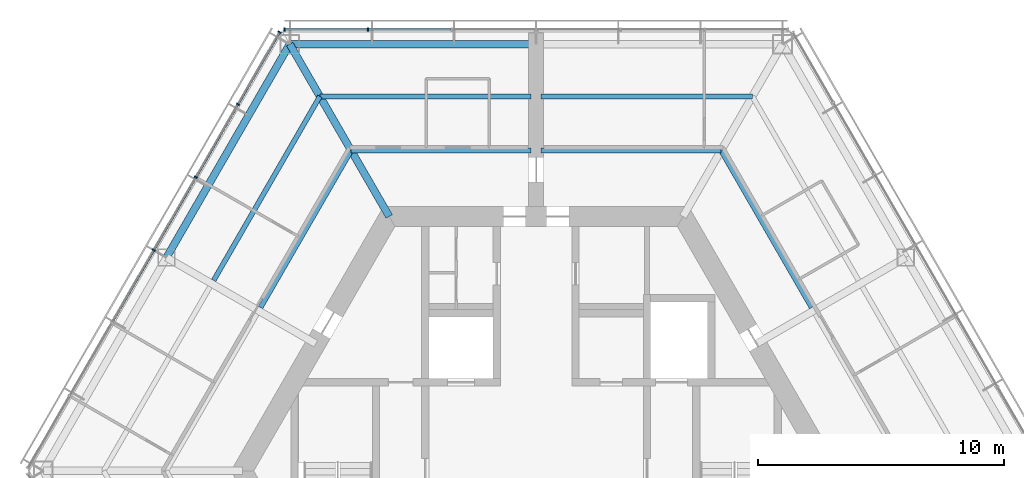
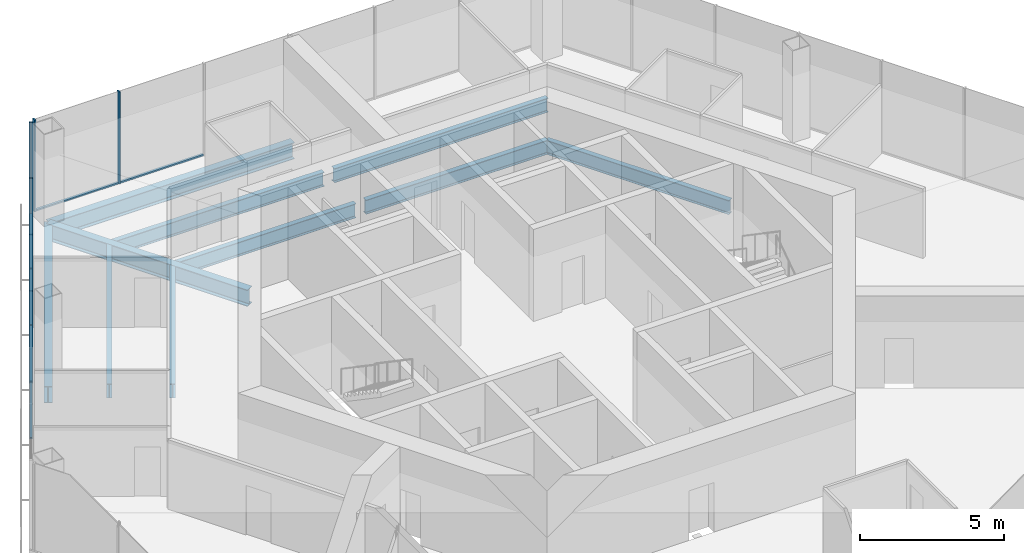
# One storey, part 6 of 16: 12 members, 10 beams, 2 elements without a shape of their own.
"""IFC4 building model written with IfcOpenShell, lengths in metres."""

import ifcopenshell
import ifcopenshell.guid

model = None  # the IFC model being written
_history = None  # IfcOwnerHistory: only IFC2X3 demands one
_inside = {}  # id of a spatial element -> (the spatial element, [elements in it])
_under = {}  # id of a project, library or spatial element -> (it, [spatial elements below it])
_declared = {}  # id of a project -> (the project, [libraries it declares])
_typed = {}  # id of a type object -> (the type object, [elements of that type])
_made_of = {}  # id of a material, layer set ... -> (it, [elements and type objects made of it])


def new_model(schema):
    """Start an empty IFC model of exactly this schema.

    Asked for "IFC4X3", IfcOpenShell would pick the latest addendum, in which some entities
    have other attributes; the version numbers below select the first issue.
    IFC2X3 requires an IfcOwnerHistory on every rooted entity: one is made here for all.
    """
    global model, _history
    if schema == "IFC4X3":
        model = ifcopenshell.file(schema_version=(4, 3, 0, 0))
    else:
        model = ifcopenshell.file(schema=schema)
    _inside.clear()
    _under.clear()
    _declared.clear()
    _typed.clear()
    _made_of.clear()
    _history = None
    if model.schema == "IFC2X3":
        org = make("IfcOrganization", Name="unknown")
        user = make(
            "IfcPersonAndOrganization",
            ThePerson=make("IfcPerson", FamilyName="unknown"),
            TheOrganization=org,
        )
        app = make(
            "IfcApplication",
            ApplicationDeveloper=org,
            Version="unknown",
            ApplicationFullName="unknown",
            ApplicationIdentifier="unknown",
        )
        _history = make(
            "IfcOwnerHistory",
            OwningUser=user,
            OwningApplication=app,
            ChangeAction="ADDED",
            CreationDate=0,
        )
    return model


def make(cls, **values):
    """One entity of the class cls with the attributes given. An attribute that is None is left unset."""
    return model.create_entity(
        cls, **{name: value for name, value in values.items() if value is not None}
    )


def rooted(cls, **values):
    """An entity with a GlobalId (a new one), such as an element, a storey or a relation."""
    return make(cls, GlobalId=ifcopenshell.guid.new(), OwnerHistory=_history, **values)


def si_unit(unit_type, name, prefix=None):
    """IfcSIUnit, for example si_unit("LENGTHUNIT", "METRE", prefix="MILLI")."""
    return make("IfcSIUnit", UnitType=unit_type, Prefix=prefix, Name=name)


def assignment(units):
    """IfcUnitAssignment: the units of a project."""
    return None if units is None else make("IfcUnitAssignment", Units=units)


def point(xyz):
    """IfcCartesianPoint."""
    return None if xyz is None else make("IfcCartesianPoint", Coordinates=xyz)


def direction(xyz):
    """IfcDirection."""
    return None if xyz is None else make("IfcDirection", DirectionRatios=xyz)


def frame(location, z_axis=None, x_axis=None):
    """IfcAxis2Placement3D, a coordinate frame: its origin and axes. An axis left out is left unset."""
    return make(
        "IfcAxis2Placement3D",
        Location=point(location),
        Axis=direction(z_axis),
        RefDirection=direction(x_axis),
    )


def frame_2d(location, x_axis=None):
    """IfcAxis2Placement2D, a coordinate frame in the plane: its origin and x axis."""
    return make(
        "IfcAxis2Placement2D", Location=point(location), RefDirection=direction(x_axis)
    )


def origin():
    """The frame at (0, 0, 0) with its axes left unset."""
    return frame((0.0, 0.0, 0.0))


def origin_2d():
    """The frame at (0, 0) in the plane with its x axis left unset."""
    return frame_2d((0.0, 0.0))


def place(relative_to, where):
    """IfcLocalPlacement: puts the frame where relative to a parent placement (None: the world)."""
    return make(
        "IfcLocalPlacement", PlacementRelTo=relative_to, RelativePlacement=where
    )


def context(
    kind, dimensions, precision=None, world=None, true_north=None, identifier=None
):
    """IfcGeometricRepresentationContext, for example the 3D "Model" context."""
    return make(
        "IfcGeometricRepresentationContext",
        ContextIdentifier=identifier,
        ContextType=kind,
        CoordinateSpaceDimension=dimensions,
        Precision=precision,
        WorldCoordinateSystem=world,
        TrueNorth=true_north,
    )


def subcontext(parent, identifier, kind, view, scale=None):
    """IfcGeometricRepresentationSubContext, for example "Body" below "Model"."""
    return make(
        "IfcGeometricRepresentationSubContext",
        ContextIdentifier=identifier,
        ContextType=kind,
        ParentContext=parent,
        TargetScale=scale,
        TargetView=view,
    )


def project(units=None, contexts=None):
    """IfcProject with its units and contexts."""
    return rooted(
        "IfcProject",
        Name="project",
        RepresentationContexts=contexts,
        UnitsInContext=assignment(units),
    )


def spatial(cls, under=None, at=None, **own):
    """A site, building, storey or space (cls), placed at a placement, below another one or the project."""
    s = rooted(cls, ObjectPlacement=at, **own)
    if under is not None:
        _under.setdefault(under.id(), (under, []))[1].append(s)
    return s


def profile(cls, at=None, kind="AREA", **sizes):
    """A parametric profile (cls). Its sizes go by their IFC names, for example OverallWidth=200.0."""
    return make(cls, ProfileType=kind, Position=at, **sizes)


def rectangle(**sizes):
    """IfcRectangleProfileDef."""
    return profile("IfcRectangleProfileDef", **sizes)


def i_section(**sizes):
    """IfcIShapeProfileDef."""
    return profile("IfcIShapeProfileDef", **sizes)


def extrude(swept, where, along, depth):
    """IfcExtrudedAreaSolid: the profile swept, set in the frame where, extruded along a direction by depth."""
    return make(
        "IfcExtrudedAreaSolid",
        SweptArea=swept,
        Position=where,
        ExtrudedDirection=direction(along),
        Depth=depth,
    )


def shape(context_of_items, identifier, shape_type, items):
    """IfcShapeRepresentation: the items that make up one representation, for example the "Body"."""
    return make(
        "IfcShapeRepresentation",
        ContextOfItems=context_of_items,
        RepresentationIdentifier=identifier,
        RepresentationType=shape_type,
        Items=items,
    )


def material(Name=None, Category=None):
    """IfcMaterial."""
    return make("IfcMaterial", Name=Name, Category=Category)


def material_profile(
    of_material, cross_section, Name=None, Category=None, Priority=None
):
    """IfcMaterialProfile: a cross section and its material."""
    return make(
        "IfcMaterialProfile",
        Name=Name,
        Material=of_material,
        Profile=cross_section,
        Priority=Priority,
        Category=Category,
    )


def profile_set(profiles, Name=None, composite=None):
    """IfcMaterialProfileSet."""
    return make(
        "IfcMaterialProfileSet",
        Name=Name,
        MaterialProfiles=profiles,
        CompositeProfile=composite,
    )


def made_of(thing, what):
    """Note that an element or type object is made of a material, layer set ...; save() writes the relation."""
    if what is not None:
        _made_of.setdefault(what.id(), (what, []))[1].append(thing)
    return thing


def type_object(cls, material=None, **own):
    """A type object (cls), such as IfcWallType, which elements share."""
    return made_of(rooted(cls, **own), material)


def element(
    cls,
    number,
    at=None,
    inside=None,
    cuts=None,
    type_object=None,
    material=None,
    context=None,
    identifier="Body",
    shape_type=None,
    held_by="IfcProductDefinitionShape",
    body=None,
    shapes=None,
    **own,
):
    """One element of the class cls, such as IfcWall. Its Tag is "e" and its number.

    at: its placement. inside: the storey or other place that contains it. cuts: it is an
    opening in that element (IfcRelVoidsElement). A single representation is given by context,
    identifier, shape_type and body (its items); several are given by shapes. held_by: the class
    of the entity that holds the representations. save() writes the other relations.
    """
    e = rooted(cls, Tag="e%d" % number, ObjectPlacement=at, **own)
    if body is not None:
        shapes = [shape(context, identifier, shape_type, body)]
    if shapes is not None:
        e.Representation = make(held_by, Representations=shapes)
    if inside is not None:
        _inside.setdefault(inside.id(), (inside, []))[1].append(e)
    if cuts is not None:
        rooted(
            "IfcRelVoidsElement", RelatingBuildingElement=cuts, RelatedOpeningElement=e
        )
    if type_object is not None:
        _typed.setdefault(type_object.id(), (type_object, []))[1].append(e)
    return made_of(e, material)


def aggregate(whole, parts):
    """IfcRelAggregates: a whole, such as a stair, and the parts it consists of."""
    return rooted("IfcRelAggregates", RelatingObject=whole, RelatedObjects=parts)


def save(model, path):
    """Write the relations noted so far, then the file.

    IfcRelAggregates (storeys below a building ...), IfcRelContainedInSpatialStructure (elements
    in a storey), IfcRelDefinesByType, IfcRelAssociatesMaterial and IfcRelDeclares: one each for
    every whole, place, type object, material and project.
    """
    for whole, parts in _under.values():
        aggregate(whole, parts)
    for where, things in _inside.values():
        rooted(
            "IfcRelContainedInSpatialStructure",
            RelatedElements=things,
            RelatingStructure=where,
        )
    for kind, things in _typed.values():
        rooted("IfcRelDefinesByType", RelatedObjects=things, RelatingType=kind)
    for what, things in _made_of.values():
        rooted("IfcRelAssociatesMaterial", RelatedObjects=things, RelatingMaterial=what)
    for by, libraries in _declared.values():
        rooted("IfcRelDeclares", RelatingContext=by, RelatedDefinitions=libraries)
    model.write(path)


model = new_model("IFC4")

# Units and contexts
model_context = context("Model", 3, precision=1e-05, world=origin(), true_north=direction((0.0, 1.0)))
body_context = subcontext(model_context, "Body", "Model", "MODEL_VIEW")
ifc_project = project(units=[si_unit("LENGTHUNIT", "METRE"), si_unit("AREAUNIT", "SQUARE_METRE"), si_unit("VOLUMEUNIT", "CUBIC_METRE"), si_unit("PLANEANGLEUNIT", "RADIAN"), si_unit("MASSUNIT", "GRAM", prefix="KILO")], contexts=[model_context])

# Site, building, storey
site_placement = place(None, origin())
site = spatial("IfcSite", under=ifc_project, at=site_placement, CompositionType="ELEMENT")
building_placement = place(site_placement, origin())
building = spatial("IfcBuilding", under=site, at=building_placement, Name="Kasaneha Research Tower", CompositionType="ELEMENT")
storey_placement = place(building_placement, frame((0.0, 0.0, 259.60009765625)))
storey = spatial("IfcBuildingStorey", under=building, at=storey_placement, Name="L65", CompositionType="ELEMENT", Elevation=259.60009765625)

# Beams
ifc_material_1 = material(Name="Steel SN490B", Category="steel")
ifc_material_profile_1 = material_profile(ifc_material_1, i_section(OverallWidth=0.199951171875, OverallDepth=0.60009765625, WebThickness=0.010986328125, FlangeThickness=0.01708984375, FilletRadius=0.012939453125, at=origin_2d()), Name="H-600x200x11x17")
ifc_profile_set_1 = profile_set([ifc_material_profile_1], Name="Steel SN490B")
beam_type_1 = type_object("IfcBeamType", Name="B1-3 secondary beam H-600x200x11x17", PredefinedType="JOIST", material=ifc_profile_set_1)
beam_1_placement = place(storey_placement, frame((7.505615234375, 13.0, -0.4501953125), z_axis=(0.499994443168, -0.866028611999, 0.0), x_axis=(0.866028611999, 0.499994443168, 0.0)))
element("IfcBeam", 1, at=beam_1_placement, inside=storey, type_object=beam_type_1, Name="Secondary beam RS030R1 L65", PredefinedType="JOIST", context=body_context, shape_type="SweptSolid", body=[
    extrude(i_section(OverallWidth=0.199951171875, OverallDepth=0.60009765625, WebThickness=0.010986328125, FlangeThickness=0.01708984375, FilletRadius=0.012939453125, at=origin_2d()), origin(), (0.0, 0.0, 1.0), 7.35546875),
])
beam_2_placement = place(storey_placement, frame((7.505615234375, 13.0, -0.4501953125), z_axis=(-1.0, 0.0, 0.0), x_axis=(0.0, -1.0, 0.0)))
element("IfcBeam", 2, at=beam_2_placement, inside=storey, type_object=beam_type_1, Name="Secondary beam RS090L1 L65", PredefinedType="JOIST", context=body_context, shape_type="SweptSolid", body=[
    extrude(i_section(OverallWidth=0.199951171875, OverallDepth=0.60009765625, WebThickness=0.010986328125, FlangeThickness=0.01708984375, FilletRadius=0.012939453125, at=origin_2d()), origin(), (0.0, 0.0, 1.0), 7.3056640625),
])
beam_3_placement = place(storey_placement, frame((8.775634765625, 15.199951171875, -0.4501953125), z_axis=(-1.0, 0.0, 0.0), x_axis=(0.0, -1.0, 0.0)))
element("IfcBeam", 3, at=beam_3_placement, inside=storey, type_object=beam_type_1, Name="Secondary beam RS090L2 L65", PredefinedType="JOIST", context=body_context, shape_type="SweptSolid", body=[
    extrude(i_section(OverallWidth=0.199951171875, OverallDepth=0.60009765625, WebThickness=0.010986328125, FlangeThickness=0.01708984375, FilletRadius=0.012939453125, at=origin_2d()), origin(), (0.0, 0.0, 1.0), 8.57568359375),
])
beam_4_placement = place(storey_placement, frame((-7.505615234375, 13.0, -0.4501953125), z_axis=(1.0, 0.0, 0.0), x_axis=(0.0, 1.0, 0.0)))
element("IfcBeam", 4, at=beam_4_placement, inside=storey, type_object=beam_type_1, Name="Secondary beam RS090R1 L65", PredefinedType="JOIST", context=body_context, shape_type="SweptSolid", body=[
    extrude(i_section(OverallWidth=0.199951171875, OverallDepth=0.60009765625, WebThickness=0.010986328125, FlangeThickness=0.01708984375, FilletRadius=0.012939453125, at=origin_2d()), origin(), (0.0, 0.0, 1.0), 7.3056640625),
])
beam_5_placement = place(storey_placement, frame((-8.775634765625, 15.199951171875, -0.4501953125), z_axis=(1.0, 0.0, 0.0), x_axis=(0.0, 1.0, 0.0)))
element("IfcBeam", 5, at=beam_5_placement, inside=storey, type_object=beam_type_1, Name="Secondary beam RS090R2 L65", PredefinedType="JOIST", context=body_context, shape_type="SweptSolid", body=[
    extrude(i_section(OverallWidth=0.199951171875, OverallDepth=0.60009765625, WebThickness=0.010986328125, FlangeThickness=0.01708984375, FilletRadius=0.012939453125, at=origin_2d()), origin(), (0.0, 0.0, 1.0), 8.57568359375),
])
beam_6_placement = place(storey_placement, frame((-7.505615234375, 13.0, -0.4501953125), z_axis=(-0.499994443168, -0.866028611999, 0.0), x_axis=(0.866028611999, -0.499994443168, 0.0)))
element("IfcBeam", 6, at=beam_6_placement, inside=storey, type_object=beam_type_1, Name="Secondary beam RS150L1 L65", PredefinedType="JOIST", context=body_context, shape_type="SweptSolid", body=[
    extrude(i_section(OverallWidth=0.199951171875, OverallDepth=0.60009765625, WebThickness=0.010986328125, FlangeThickness=0.01708984375, FilletRadius=0.012939453125, at=origin_2d()), origin(), (0.0, 0.0, 1.0), 7.35546875),
])
beam_7_placement = place(storey_placement, frame((-8.775634765625, 15.199951171875, -0.4501953125), z_axis=(-0.500017275495, -0.866015429543, 0.0), x_axis=(0.866015429543, -0.500017275495, 0.0)))
element("IfcBeam", 7, at=beam_7_placement, inside=storey, type_object=beam_type_1, Name="Secondary beam RS150L2 L65", PredefinedType="JOIST", context=body_context, shape_type="SweptSolid", body=[
    extrude(i_section(OverallWidth=0.199951171875, OverallDepth=0.60009765625, WebThickness=0.010986328125, FlangeThickness=0.01708984375, FilletRadius=0.012939453125, at=origin_2d()), origin(), (0.0, 0.0, 1.0), 8.625732421875),
])

# Curtain wall, members
ifc_material_2 = material(Name="Glass and aluminium", Category="aluminium")
curtain_wall_type = type_object("IfcCurtainWallType", Name="High-rise office curtain wall", PredefinedType="USERDEFINED", material=ifc_material_2)
curtain_wall_1_placement = place(storey_placement, origin())
curtain_wall_1 = element("IfcCurtainWall", 8, at=curtain_wall_1_placement, inside=storey, type_object=curtain_wall_type, Name="CW-O3 L65 run 02a", ObjectType="UNITISED CURTAIN WALL", PredefinedType="USERDEFINED")
ifc_material_3 = material(Name="Aluminium 6063-T6", Category="aluminium")
ifc_material_profile_2 = material_profile(ifc_material_3, rectangle(XDim=0.06005859375, YDim=0.139892578125, at=origin_2d()), Name="CW-O3 mullion 60x140")
ifc_profile_set_2 = profile_set([ifc_material_profile_2], Name="Aluminium 6063-T6")
member_type_1 = type_object("IfcMemberType", Name="CW-O3 mullion", PredefinedType="MULLION", material=ifc_profile_set_2)
member_1_placement = place(storey_placement, frame((-6.8310546875, 17.92041015625, 0.0), z_axis=(0.0, 0.0, 1.0), x_axis=(-1.0, 0.0, 0.0)))
member_1 = element("IfcMember", 9, at=member_1_placement, type_object=member_type_1, Name="CW-O3 mullion 6", PredefinedType="MULLION", context=body_context, shape_type="SweptSolid", body=[
    extrude(rectangle(XDim=0.06005859375, YDim=0.139892578125, at=origin_2d()), origin(), (0.0, 0.0, 1.0), 3.89990234375),
])
member_2_placement = place(storey_placement, frame((-10.21630859375, 17.92041015625, 0.0), z_axis=(0.0, 0.0, 1.0), x_axis=(-1.0, 0.0, 0.0)))
member_2 = element("IfcMember", 10, at=member_2_placement, type_object=member_type_1, Name="CW-O3 mullion 7", PredefinedType="MULLION", context=body_context, shape_type="SweptSolid", body=[
    extrude(rectangle(XDim=0.06005859375, YDim=0.139892578125, at=origin_2d()), origin(), (0.0, 0.0, 1.0), 3.89990234375),
])

curtain_wall_2_placement = place(storey_placement, origin())
curtain_wall_2 = element("IfcCurtainWall", 11, at=curtain_wall_2_placement, inside=storey, type_object=curtain_wall_type, Name="CW-O3 L65 run 03a", ObjectType="UNITISED CURTAIN WALL", PredefinedType="USERDEFINED")
member_3_placement = place(storey_placement, frame((-10.411376953125, 17.807861328125, 0.0), z_axis=(0.0, 0.0, 1.0), x_axis=(-0.499999995722, -0.866025406254, 0.0)))
member_3 = element("IfcMember", 12, at=member_3_placement, type_object=member_type_1, Name="CW-O3 mullion 1", PredefinedType="MULLION", context=body_context, shape_type="SweptSolid", body=[
    extrude(rectangle(XDim=0.06005859375, YDim=0.139892578125, at=origin_2d()), origin(), (0.0, 0.0, 1.0), 3.89990234375),
])
member_4_placement = place(storey_placement, frame((-12.104248046875, 14.8759765625, 0.0), z_axis=(0.0, 0.0, 1.0), x_axis=(-0.499999995722, -0.866025406254, 0.0)))
member_4 = element("IfcMember", 13, at=member_4_placement, type_object=member_type_1, Name="CW-O3 mullion 2", PredefinedType="MULLION", context=body_context, shape_type="SweptSolid", body=[
    extrude(rectangle(XDim=0.06005859375, YDim=0.139892578125, at=origin_2d()), origin(), (0.0, 0.0, 1.0), 3.89990234375),
])
member_5_placement = place(storey_placement, frame((-13.811767578125, 11.918212890625, 0.0), z_axis=(0.0, 0.0, 1.0), x_axis=(-0.499999995722, -0.866025406254, 0.0)))
member_5 = element("IfcMember", 14, at=member_5_placement, type_object=member_type_1, Name="CW-O3 mullion 3", PredefinedType="MULLION", context=body_context, shape_type="SweptSolid", body=[
    extrude(rectangle(XDim=0.06005859375, YDim=0.139892578125, at=origin_2d()), origin(), (0.0, 0.0, 1.0), 3.89990234375),
])
member_6_placement = place(storey_placement, frame((-15.51953125, 8.960205078125, 0.0), z_axis=(0.0, 0.0, 1.0), x_axis=(-0.499999995722, -0.866025406254, 0.0)))
member_6 = element("IfcMember", 15, at=member_6_placement, type_object=member_type_1, Name="CW-O3 mullion 4", PredefinedType="MULLION", context=body_context, shape_type="SweptSolid", body=[
    extrude(rectangle(XDim=0.06005859375, YDim=0.139892578125, at=origin_2d()), origin(), (0.0, 0.0, 1.0), 3.89990234375),
])

# Member
ifc_material_4 = material(Name="Aluminium 6063-T6", Category="aluminium")
ifc_material_profile_3 = material_profile(ifc_material_4, rectangle(XDim=0.10009765625, YDim=0.06005859375, at=origin_2d()), Name="CW-O3 transom 100x60")
ifc_profile_set_3 = profile_set([ifc_material_profile_3], Name="Aluminium 6063-T6")
member_type_2 = type_object("IfcMemberType", Name="CW-O3 transom", PredefinedType="USERDEFINED", material=ifc_profile_set_3)
member_7_placement = place(storey_placement, frame((-3.445556640625, 17.92041015625, 0.02978515625), z_axis=(-1.0, 0.0, 0.0), x_axis=(0.0, -1.0, 0.0)))
member_7 = element("IfcMember", 16, at=member_7_placement, type_object=member_type_2, Name="CW-O3 transom 5", ObjectType="TRANSOM", PredefinedType="USERDEFINED", context=body_context, shape_type="SweptSolid", body=[
    extrude(rectangle(XDim=0.10009765625, YDim=0.06005859375, at=origin_2d()), origin(), (0.0, 0.0, 1.0), 3.35546875),
])

member_8_placement = place(storey_placement, frame((-6.86083984375, 17.92041015625, 0.02978515625), z_axis=(-1.0, 0.0, 0.0), x_axis=(0.0, -1.0, 0.0)))
member_8 = element("IfcMember", 17, at=member_8_placement, type_object=member_type_2, Name="CW-O3 transom 6", ObjectType="TRANSOM", PredefinedType="USERDEFINED", context=body_context, shape_type="SweptSolid", body=[
    extrude(rectangle(XDim=0.10009765625, YDim=0.06005859375, at=origin_2d()), origin(), (0.0, 0.0, 1.0), 3.32568359375),
])

aggregate(curtain_wall_1, [member_1, member_2, member_7, member_8])

member_9_placement = place(storey_placement, frame((-10.426513671875, 17.781982421875, 0.02978515625), z_axis=(-0.49997666526, -0.866038875684, 0.0), x_axis=(0.866038875684, -0.49997666526, 0.0)))
member_9 = element("IfcMember", 18, at=member_9_placement, type_object=member_type_2, Name="CW-O3 transom 1", ObjectType="TRANSOM", PredefinedType="USERDEFINED", context=body_context, shape_type="SweptSolid", body=[
    extrude(rectangle(XDim=0.10009765625, YDim=0.06005859375, at=origin_2d()), origin(), (0.0, 0.0, 1.0), 3.325439453125),
])

member_10_placement = place(storey_placement, frame((-12.119140625, 14.85009765625, 0.02978515625), z_axis=(-0.499989072476, -0.866031712701, 0.0), x_axis=(0.866031712701, -0.499989072476, 0.0)))
member_10 = element("IfcMember", 19, at=member_10_placement, type_object=member_type_2, Name="CW-O3 transom 2", ObjectType="TRANSOM", PredefinedType="USERDEFINED", context=body_context, shape_type="SweptSolid", body=[
    extrude(rectangle(XDim=0.10009765625, YDim=0.06005859375, at=origin_2d()), origin(), (0.0, 0.0, 1.0), 3.35546875),
])

member_11_placement = place(storey_placement, frame((-13.826904296875, 11.89208984375, 0.02978515625), z_axis=(-0.500020578564, -0.866013522419, 0.0), x_axis=(0.866013522419, -0.500020578564, 0.0)))
member_11 = element("IfcMember", 20, at=member_11_placement, type_object=member_type_2, Name="CW-O3 transom 3", ObjectType="TRANSOM", PredefinedType="USERDEFINED", context=body_context, shape_type="SweptSolid", body=[
    extrude(rectangle(XDim=0.10009765625, YDim=0.06005859375, at=origin_2d()), origin(), (0.0, 0.0, 1.0), 3.355224609375),
])

member_12_placement = place(storey_placement, frame((-15.53466796875, 8.934326171875, 0.02978515625), z_axis=(-0.499989072476, -0.866031712701, 0.0), x_axis=(0.866031712701, -0.499989072476, 0.0)))
member_12 = element("IfcMember", 21, at=member_12_placement, type_object=member_type_2, Name="CW-O3 transom 4", ObjectType="TRANSOM", PredefinedType="USERDEFINED", context=body_context, shape_type="SweptSolid", body=[
    extrude(rectangle(XDim=0.10009765625, YDim=0.06005859375, at=origin_2d()), origin(), (0.0, 0.0, 1.0), 3.35546875),
])

aggregate(curtain_wall_2, [member_3, member_4, member_5, member_6, member_9, member_10, member_11, member_12])

# Beams
ifc_material_5 = material(Name="Steel SN490B", Category="steel")
ifc_material_profile_4 = material_profile(ifc_material_5, i_section(OverallWidth=0.300048828125, OverallDepth=0.699951171875, WebThickness=0.012939453125, FlangeThickness=0.02392578125, FilletRadius=0.01806640625, at=origin_2d()), Name="H-700x300x13x24")
ifc_profile_set_4 = profile_set([ifc_material_profile_4], Name="Steel SN490B")
beam_type_2 = type_object("IfcBeamType", Name="G1-3 radial girder H-700x300x13x24", PredefinedType="BEAM", material=ifc_profile_set_4)
beam_8_placement = place(storey_placement, frame((-5.961181640625, 10.324951171875, -0.5), z_axis=(-0.49999105496, 0.866030568144, 0.0), x_axis=(-0.866030568144, -0.49999105496, 0.0)))
element("IfcBeam", 22, at=beam_8_placement, inside=storey, type_object=beam_type_2, Name="Radial girder RV120 L65", PredefinedType="BEAM", context=body_context, shape_type="SweptSolid", body=[
    extrude(i_section(OverallWidth=0.300048828125, OverallDepth=0.699951171875, WebThickness=0.012939453125, FlangeThickness=0.02392578125, FilletRadius=0.01806640625, at=origin_2d()), origin(), (0.0, 0.0, 1.0), 8.077880859375),
])
ifc_material_6 = material(Name="Steel SN490B", Category="steel")
ifc_material_profile_5 = material_profile(ifc_material_6, i_section(OverallWidth=0.300048828125, OverallDepth=0.69189453125, WebThickness=0.012939453125, FlangeThickness=0.02001953125, FilletRadius=0.01806640625, at=origin_2d()), Name="H-692x300x13x20")
ifc_profile_set_5 = profile_set([ifc_material_profile_5], Name="Steel SN490B")
beam_type_3 = type_object("IfcBeamType", Name="G3-3 plate edge girder H-692x300x13x20", PredefinedType="BEAM", material=ifc_profile_set_5)
beam_9_placement = place(storey_placement, frame((-10.0, 17.320556640625, -0.49609375), z_axis=(1.0, 0.0, 0.0), x_axis=(0.0, 1.0, 0.0)))
element("IfcBeam", 23, at=beam_9_placement, inside=storey, type_object=beam_type_3, Name="Plate edge girder PEAN L65", PredefinedType="BEAM", context=body_context, shape_type="SweptSolid", body=[
    extrude(i_section(OverallWidth=0.300048828125, OverallDepth=0.69189453125, WebThickness=0.012939453125, FlangeThickness=0.02001953125, FilletRadius=0.01806640625, at=origin_2d()), origin(), (0.0, 0.0, 1.0), 9.800048828125),
])
ifc_material_7 = material(Name="Steel SN490B", Category="steel")
ifc_material_profile_6 = material_profile(ifc_material_7, i_section(OverallWidth=0.300048828125, OverallDepth=0.69189453125, WebThickness=0.012939453125, FlangeThickness=0.02001953125, FilletRadius=0.01806640625, at=origin_2d()), Name="H-692x300x13x20")
ifc_profile_set_6 = profile_set([ifc_material_profile_6], Name="Steel SN490B")
beam_type_4 = type_object("IfcBeamType", Name="SB1-3 spandrel beam H-692x300x13x20", PredefinedType="SPANDREL", material=ifc_profile_set_6)
beam_10_placement = place(storey_placement, frame((-10.0, 17.320556640625, -0.49609375), z_axis=(-0.499993662806, -0.866029062534, 0.0), x_axis=(0.866029062534, -0.499993662806, 0.0)))
element("IfcBeam", 24, at=beam_10_placement, inside=storey, type_object=beam_type_4, Name="Spandrel beam SR150L L65", PredefinedType="SPANDREL", context=body_context, shape_type="SweptSolid", body=[
    extrude(i_section(OverallWidth=0.300048828125, OverallDepth=0.69189453125, WebThickness=0.012939453125, FlangeThickness=0.02001953125, FilletRadius=0.01806640625, at=origin_2d()), origin(), (0.0, 0.0, 1.0), 10.000244140625),
])

save(model, "model.ifc")
